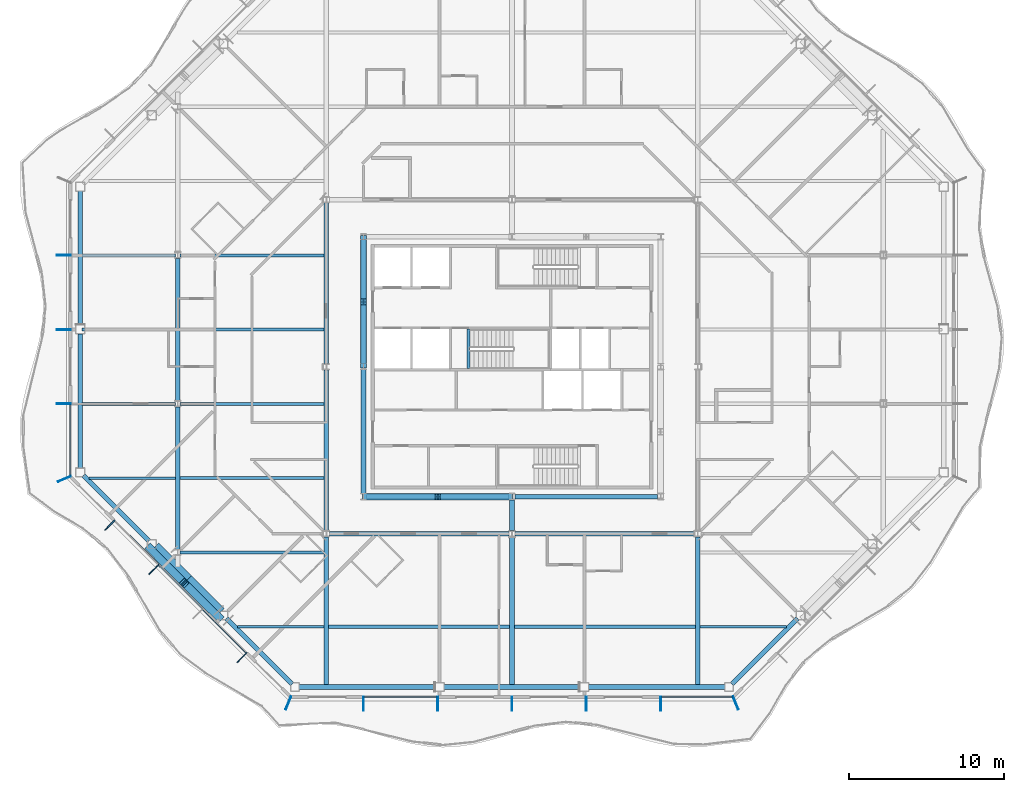
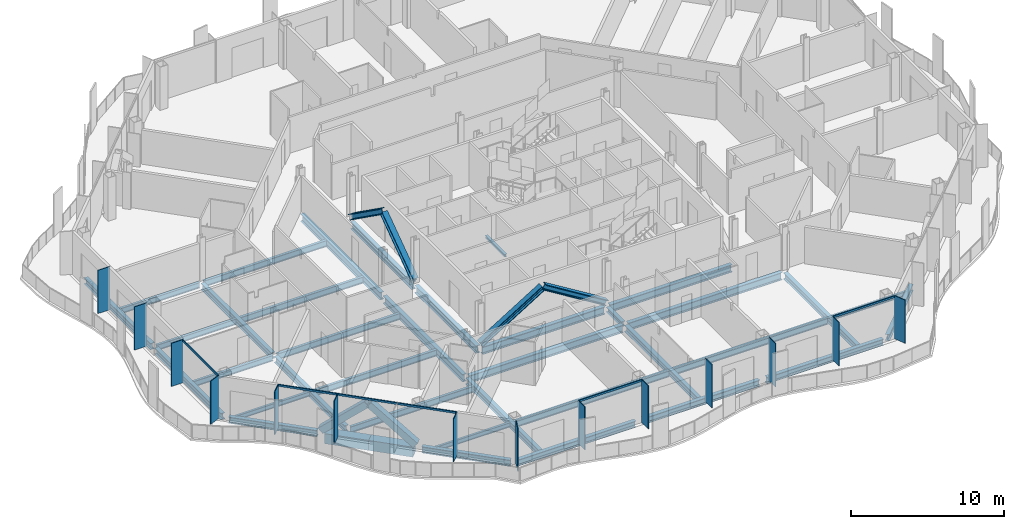
# One storey, part 3 of 21: 38 beams, 26 members, 4 elements without a shape of their own.
"""IFC4 building model written with IfcOpenShell, lengths in metres."""

from ifc_helpers import new_model, si_unit, direction, frame, origin, origin_2d, place, context, subcontext, project, spatial, rectangle, hollow_rectangle, i_section, extrude, material, material_profile, profile_set, type_object, element, aggregate, save


model = new_model("IFC4")

# Units and contexts
model_context = context("Model", 3, precision=1e-05, world=origin(), true_north=direction((0.0, 1.0)))
body_context = subcontext(model_context, "Body", "Model", "MODEL_VIEW")
ifc_project = project(units=[si_unit("LENGTHUNIT", "METRE"), si_unit("AREAUNIT", "SQUARE_METRE"), si_unit("VOLUMEUNIT", "CUBIC_METRE"), si_unit("PLANEANGLEUNIT", "RADIAN"), si_unit("MASSUNIT", "GRAM", prefix="KILO")], contexts=[model_context])

# Site, building, storey
site_placement = place(None, origin())
site = spatial("IfcSite", under=ifc_project, at=site_placement, CompositionType="ELEMENT")
building_placement = place(site_placement, origin())
building = spatial("IfcBuilding", under=site, at=building_placement, Name="Cairn Pilgrim Tower", CompositionType="ELEMENT")
storey_placement = place(building_placement, frame((0.0, 0.0, 150.60009765625)))
storey = spatial("IfcBuildingStorey", under=building, at=storey_placement, Name="L37", CompositionType="ELEMENT", Elevation=150.60009765625)

# Members
ifc_material_1 = material(Name="Structural steel S460M", Category="steel")
ifc_material_profile_1 = material_profile(ifc_material_1, hollow_rectangle(XDim=0.5, YDim=0.5, WallThickness=0.030029296875, at=origin_2d()), Name="BOX 500x500x30")
ifc_profile_set_1 = profile_set([ifc_material_profile_1], Name="Structural steel S460M")
member_type_1 = type_object("IfcMemberType", Name="BOX 500x500x30 BRACE", PredefinedType="BRACE", material=ifc_profile_set_1)
for number, where, z_axis, x_axis, name in (
    (1, (-16.243408203125, -9.2978515625, 0.14990234375), (0.532872437944, -0.54041586551, 0.651151024866), (0.712058976351, 0.702119658034, 0.0), "XB-SW2-SW3-1"),
    (2, (-11.697998046875, -13.84326171875, 0.14990234375), (-0.540432836476, 0.53283023714, 0.651171473306), (-0.702080283622, -0.712097799006, 0.0), "XB-SW2-SW3-2"),
):
    element("IfcMember", number, at=place(storey_placement, frame(where, z_axis=z_axis, x_axis=x_axis)), inside=storey, type_object=member_type_1, Name=name, PredefinedType="BRACE", context=body_context, shape_type="SweptSolid", body=[
        extrude(hollow_rectangle(XDim=0.5, YDim=0.5, WallThickness=0.030029296875, at=origin_2d()), origin(), (0.0, 0.0, 1.0), 4.142578125),
    ])

# Beams
ifc_material_2 = material(Name="Structural steel S355J2", Category="steel")
ifc_material_profile_2 = material_profile(ifc_material_2, hollow_rectangle(XDim=0.699951171875, YDim=0.800048828125, WallThickness=0.0400390625, at=origin_2d()), Name="BOX 700x800x40")
ifc_profile_set_2 = profile_set([ifc_material_profile_2], Name="Structural steel S355J2")
beam_type_1 = type_object("IfcBeamType", Name="BOX 700x800x40 RING GIRDER", PredefinedType="SPANDREL", material=ifc_profile_set_2)
beam_1_placement = place(storey_placement, frame((-15.884765625, -9.242431640625, -0.550048828125), z_axis=(0.707106781187, -0.707106781187, 0.0), x_axis=(0.707106781187, 0.707106781187, 0.0)))
element("IfcBeam", 3, at=beam_1_placement, inside=storey, type_object=beam_type_1, Name="RG2-SW2-SW3-1", PredefinedType="SPANDREL", context=body_context, shape_type="SweptSolid", body=[
    extrude(hollow_rectangle(XDim=0.699951171875, YDim=0.800048828125, WallThickness=0.0400390625, at=origin_2d()), origin(), (0.0, 0.0, 1.0), 2.999755859375),
])
beam_2_placement = place(storey_placement, frame((-13.763671875, -11.363525390625, -0.550048828125), z_axis=(0.707106781187, -0.707106781187, 0.0), x_axis=(0.707106781187, 0.707106781187, 0.0)))
element("IfcBeam", 4, at=beam_2_placement, inside=storey, type_object=beam_type_1, Name="RG2-SW2-SW3-2", PredefinedType="SPANDREL", context=body_context, shape_type="SweptSolid", body=[
    extrude(hollow_rectangle(XDim=0.699951171875, YDim=0.800048828125, WallThickness=0.0400390625, at=origin_2d()), origin(), (0.0, 0.0, 1.0), 3.0),
])

# Curtain wall, members
ifc_material_3 = material(Name="Aluminium alloy 6063-T6 bronze anodised with Bronze tinted laminated low-E glass 8+16+8.8", Category="aluminium")
curtain_wall_type_1 = type_object("IfcCurtainWallType", Name="TOWER STICK CURTAIN WALL NS", PredefinedType="NOTDEFINED", material=ifc_material_3)
curtain_wall_1_placement = place(storey_placement, origin())
curtain_wall_1 = element("IfcCurtainWall", 5, at=curtain_wall_1_placement, inside=storey, type_object=curtain_wall_type_1, Name="Tower Stick Curtain Wall Ns S", PredefinedType="NOTDEFINED")
ifc_material_4 = material(Name="Aluminium alloy 6063-T6 bronze anodised", Category="aluminium")
ifc_material_profile_3 = material_profile(ifc_material_4, rectangle(XDim=0.89990234375, YDim=0.06005859375, at=origin_2d()), Name="FIN MULLION 60x900 BRONZE")
ifc_profile_set_3 = profile_set([ifc_material_profile_3], Name="Aluminium alloy 6063-T6 bronze anodised")
member_type_2 = type_object("IfcMemberType", Name="FIN MULLION 60x900 BRONZE", PredefinedType="MULLION", material=ifc_profile_set_3)
member_1_placement = place(storey_placement, frame((-7.257080078125, -19.338134765625, 0.0), z_axis=(0.0, 0.0, 1.0), x_axis=(-0.382683432365, -0.923879532511, 0.0)))
member_1 = element("IfcMember", 6, at=member_1_placement, type_object=member_type_2, Name="Fin mullion S1", PredefinedType="MULLION", context=body_context, shape_type="SweptSolid", body=[
    extrude(rectangle(XDim=0.89990234375, YDim=0.06005859375, at=origin_2d()), origin(), (0.0, 0.0, 1.0), 3.449951171875),
])
member_2_placement = place(storey_placement, frame((-2.39990234375, -19.3701171875, 0.0), z_axis=(0.0, 0.0, 1.0), x_axis=(0.0, -1.0, 0.0)))
member_2 = element("IfcMember", 7, at=member_2_placement, type_object=member_type_2, Name="Fin mullion S2", PredefinedType="MULLION", context=body_context, shape_type="SweptSolid", body=[
    extrude(rectangle(XDim=0.89990234375, YDim=0.06005859375, at=origin_2d()), origin(), (0.0, 0.0, 1.0), 3.449951171875),
])
member_3_placement = place(storey_placement, frame((2.39990234375, -19.3701171875, 0.0), z_axis=(0.0, 0.0, 1.0), x_axis=(0.0, -1.0, 0.0)))
member_3 = element("IfcMember", 8, at=member_3_placement, type_object=member_type_2, Name="Fin mullion S3", PredefinedType="MULLION", context=body_context, shape_type="SweptSolid", body=[
    extrude(rectangle(XDim=0.89990234375, YDim=0.06005859375, at=origin_2d()), origin(), (0.0, 0.0, 1.0), 3.449951171875),
])
member_4_placement = place(storey_placement, frame((7.199951171875, -19.3701171875, 0.0), z_axis=(0.0, 0.0, 1.0), x_axis=(0.0, -1.0, 0.0)))
member_4 = element("IfcMember", 9, at=member_4_placement, type_object=member_type_2, Name="Fin mullion S4", PredefinedType="MULLION", context=body_context, shape_type="SweptSolid", body=[
    extrude(rectangle(XDim=0.89990234375, YDim=0.06005859375, at=origin_2d()), origin(), (0.0, 0.0, 1.0), 3.449951171875),
])
member_5_placement = place(storey_placement, frame((12.0, -19.3701171875, 0.0), z_axis=(0.0, 0.0, 1.0), x_axis=(0.0, -1.0, 0.0)))
member_5 = element("IfcMember", 10, at=member_5_placement, type_object=member_type_2, Name="Fin mullion S5", PredefinedType="MULLION", context=body_context, shape_type="SweptSolid", body=[
    extrude(rectangle(XDim=0.89990234375, YDim=0.06005859375, at=origin_2d()), origin(), (0.0, 0.0, 1.0), 3.449951171875),
])
member_6_placement = place(storey_placement, frame((16.800048828125, -19.3701171875, 0.0), z_axis=(0.0, 0.0, 1.0), x_axis=(0.0, -1.0, 0.0)))
member_6 = element("IfcMember", 11, at=member_6_placement, type_object=member_type_2, Name="Fin mullion S6", PredefinedType="MULLION", context=body_context, shape_type="SweptSolid", body=[
    extrude(rectangle(XDim=0.89990234375, YDim=0.06005859375, at=origin_2d()), origin(), (0.0, 0.0, 1.0), 3.449951171875),
])

# Curtain wall, member
curtain_wall_type_2 = type_object("IfcCurtainWallType", Name="CHAMFER CORNER CURTAIN WALL", PredefinedType="NOTDEFINED", material=ifc_material_3)
curtain_wall_2_placement = place(storey_placement, origin())
curtain_wall_2 = element("IfcCurtainWall", 12, at=curtain_wall_2_placement, inside=storey, type_object=curtain_wall_type_2, Name="Chamfer Corner Curtain Wall SE", PredefinedType="NOTDEFINED")
member_7_placement = place(storey_placement, frame((21.6572265625, -19.338134765625, 0.0), z_axis=(0.0, 0.0, 1.0), x_axis=(0.382683432365, -0.923879532511, 0.0)))
member_7 = element("IfcMember", 13, at=member_7_placement, type_object=member_type_2, Name="Fin mullion SE1", PredefinedType="MULLION", context=body_context, shape_type="SweptSolid", body=[
    extrude(rectangle(XDim=0.89990234375, YDim=0.06005859375, at=origin_2d()), origin(), (0.0, 0.0, 1.0), 3.449951171875),
])
aggregate(curtain_wall_2, [member_7])

# Curtain wall, members
curtain_wall_type_3 = type_object("IfcCurtainWallType", Name="TOWER STICK CURTAIN WALL EW", PredefinedType="NOTDEFINED", material=ifc_material_3)
curtain_wall_3_placement = place(storey_placement, origin())
curtain_wall_3 = element("IfcCurtainWall", 14, at=curtain_wall_3_placement, inside=storey, type_object=curtain_wall_type_3, Name="Tower Stick Curtain Wall Ew W", PredefinedType="NOTDEFINED")
member_8_placement = place(storey_placement, frame((-21.77001953125, 9.60009765625, 0.0), z_axis=(0.0, 0.0, 1.0), x_axis=(-1.0, 0.0, 0.0)))
member_8 = element("IfcMember", 15, at=member_8_placement, type_object=member_type_2, Name="Fin mullion W2", PredefinedType="MULLION", context=body_context, shape_type="SweptSolid", body=[
    extrude(rectangle(XDim=0.89990234375, YDim=0.06005859375, at=origin_2d()), origin(), (0.0, 0.0, 1.0), 3.449951171875),
])
member_9_placement = place(storey_placement, frame((-21.77001953125, 4.800048828125, 0.0), z_axis=(0.0, 0.0, 1.0), x_axis=(-1.0, 0.0, 0.0)))
member_9 = element("IfcMember", 16, at=member_9_placement, type_object=member_type_2, Name="Fin mullion W3", PredefinedType="MULLION", context=body_context, shape_type="SweptSolid", body=[
    extrude(rectangle(XDim=0.89990234375, YDim=0.06005859375, at=origin_2d()), origin(), (0.0, 0.0, 1.0), 3.449951171875),
])
member_10_placement = place(storey_placement, frame((-21.77001953125, 0.0, 0.0), z_axis=(0.0, 0.0, 1.0), x_axis=(-1.0, 0.0, 0.0)))
member_10 = element("IfcMember", 17, at=member_10_placement, type_object=member_type_2, Name="Fin mullion W4", PredefinedType="MULLION", context=body_context, shape_type="SweptSolid", body=[
    extrude(rectangle(XDim=0.89990234375, YDim=0.06005859375, at=origin_2d()), origin(), (0.0, 0.0, 1.0), 3.449951171875),
])

curtain_wall_4_placement = place(storey_placement, origin())
curtain_wall_4 = element("IfcCurtainWall", 18, at=curtain_wall_4_placement, inside=storey, type_object=curtain_wall_type_2, Name="Chamfer Corner Curtain Wall SW", PredefinedType="NOTDEFINED")
member_11_placement = place(storey_placement, frame((-21.738037109375, -4.857177734375, 0.0), z_axis=(0.0, 0.0, 1.0), x_axis=(-0.923879532511, -0.382683432365, 0.0)))
member_11 = element("IfcMember", 19, at=member_11_placement, type_object=member_type_2, Name="Fin mullion SW1", PredefinedType="MULLION", context=body_context, shape_type="SweptSolid", body=[
    extrude(rectangle(XDim=0.89990234375, YDim=0.06005859375, at=origin_2d()), origin(), (0.0, 0.0, 1.0), 3.449951171875),
])
member_12_placement = place(storey_placement, frame((-18.79638671875, -7.84423828125, 0.0), z_axis=(0.0, 0.0, 1.0), x_axis=(-0.707106781187, -0.707106781187, 0.0)))
member_12 = element("IfcMember", 20, at=member_12_placement, type_object=member_type_2, Name="Fin mullion SW2", PredefinedType="MULLION", context=body_context, shape_type="SweptSolid", body=[
    extrude(rectangle(XDim=0.89990234375, YDim=0.06005859375, at=origin_2d()), origin(), (0.0, 0.0, 1.0), 3.449951171875),
])
member_13_placement = place(storey_placement, frame((-15.945556640625, -10.69482421875, 0.0), z_axis=(0.0, 0.0, 1.0), x_axis=(-0.707106781187, -0.707106781187, 0.0)))
member_13 = element("IfcMember", 21, at=member_13_placement, type_object=member_type_2, Name="Fin mullion SW3", PredefinedType="MULLION", context=body_context, shape_type="SweptSolid", body=[
    extrude(rectangle(XDim=0.89990234375, YDim=0.06005859375, at=origin_2d()), origin(), (0.0, 0.0, 1.0), 3.449951171875),
])
member_14_placement = place(storey_placement, frame((-10.244140625, -16.396240234375, 0.0), z_axis=(0.0, 0.0, 1.0), x_axis=(-0.707106781187, -0.707106781187, 0.0)))
member_14 = element("IfcMember", 22, at=member_14_placement, type_object=member_type_2, Name="Fin mullion SW5", PredefinedType="MULLION", context=body_context, shape_type="SweptSolid", body=[
    extrude(rectangle(XDim=0.89990234375, YDim=0.06005859375, at=origin_2d()), origin(), (0.0, 0.0, 1.0), 3.449951171875),
])

# Members
ifc_material_profile_4 = material_profile(ifc_material_1, i_section(OverallWidth=0.408935546875, OverallDepth=0.425048828125, WebThickness=0.03271484375, FlangeThickness=0.052490234375, FilletRadius=0.014892578125, at=origin_2d()), Name="HD 400x421")
ifc_profile_set_4 = profile_set([ifc_material_profile_4], Name="Structural steel S460M")
member_type_3 = type_object("IfcMemberType", Name="HD 400x421 BRACE", PredefinedType="BRACE", material=ifc_profile_set_4)
for number, where, z_axis, x_axis, name in (
    (23, (-2.3583984375, -6.0, 0.099853515625), (0.851099832195, 0.0, 0.525003881545), (0.0, 1.0, 0.0), "KB-1A"),
    (24, (7.158447265625, -6.0, 0.099853515625), (-0.85111200398, 0.0, 0.524984148981), (0.0, -1.0, 0.0), "KB-1B"),
):
    element("IfcMember", number, at=place(storey_placement, frame(where, z_axis=z_axis, x_axis=x_axis)), inside=storey, type_object=member_type_3, Name=name, PredefinedType="BRACE", context=body_context, shape_type="SweptSolid", body=[
        extrude(i_section(OverallWidth=0.408935546875, OverallDepth=0.425048828125, WebThickness=0.03271484375, FlangeThickness=0.052490234375, FilletRadius=0.014892578125, at=origin_2d()), origin(), (0.0, 0.0, 1.0), 5.5283203125),
    ])
for number, where, z_axis, x_axis, name in (
    (25, (-2.39990234375, 10.75830078125, 0.099853515625), (0.0, -0.81433042856, 0.580401544727), (1.0, 0.0, 0.0), "KB-4A"),
    (26, (-2.39990234375, 2.441650390625, 0.099853515625), (0.0, 0.81433042856, 0.580401544727), (-1.0, 0.0, 0.0), "KB-4B"),
):
    element("IfcMember", number, at=place(storey_placement, frame(where, z_axis=z_axis, x_axis=x_axis)), inside=storey, type_object=member_type_3, Name=name, PredefinedType="BRACE", context=body_context, shape_type="SweptSolid", body=[
        extrude(i_section(OverallWidth=0.408935546875, OverallDepth=0.425048828125, WebThickness=0.03271484375, FlangeThickness=0.052490234375, FilletRadius=0.014892578125, at=origin_2d()), origin(), (0.0, 0.0, 1.0), 4.998046875),
    ])

# Beams
ifc_material_profile_5 = material_profile(ifc_material_2, i_section(OverallWidth=0.300048828125, OverallDepth=0.39990234375, WebThickness=0.013427734375, FlangeThickness=0.02392578125, FilletRadius=0.027099609375, at=origin_2d()), Name="HEB 400")
ifc_profile_set_5 = profile_set([ifc_material_profile_5], Name="Structural steel S355J2")
beam_type_2 = type_object("IfcBeamType", Name="HEB 400 GIRDER", PredefinedType="BEAM", material=ifc_profile_set_5)
beam_3_placement = place(storey_placement, frame((7.199951171875, -8.200439453125, -0.35009765625), z_axis=(0.0, 1.0, 0.0), x_axis=(-1.0, 0.0, 0.0)))
element("IfcBeam", 27, at=beam_3_placement, inside=storey, type_object=beam_type_2, Name="PG3-E1", PredefinedType="BEAM", context=body_context, shape_type="SweptSolid", body=[
    extrude(i_section(OverallWidth=0.300048828125, OverallDepth=0.39990234375, WebThickness=0.013427734375, FlangeThickness=0.02392578125, FilletRadius=0.027099609375, at=origin_2d()), origin(), (0.0, 0.0, 1.0), 1.992431640625),
])
ifc_material_profile_6 = material_profile(ifc_material_2, i_section(OverallWidth=0.300048828125, OverallDepth=0.5, WebThickness=0.014404296875, FlangeThickness=0.028076171875, FilletRadius=0.027099609375, at=origin_2d()), Name="HEB 500")
ifc_profile_set_6 = profile_set([ifc_material_profile_6], Name="Structural steel S355J2")
beam_type_3 = type_object("IfcBeamType", Name="HEB 500 GIRDER", PredefinedType="BEAM", material=ifc_profile_set_6)
for number, where, z_axis, x_axis, name in (
    (28, (-14.39990234375, -9.400390625, -0.400146484375), (0.0, 1.0, 0.0), (-1.0, 0.0, 0.0), "PG1-1"),
    (29, (-14.39990234375, 0.199462890625, -0.400146484375), (0.0, 1.0, 0.0), (-1.0, 0.0, 0.0), "PG1-2"),
):
    element("IfcBeam", number, at=place(storey_placement, frame(where, z_axis=z_axis, x_axis=x_axis)), inside=storey, type_object=beam_type_3, Name=name, PredefinedType="BEAM", context=body_context, shape_type="SweptSolid", body=[
        extrude(i_section(OverallWidth=0.300048828125, OverallDepth=0.5, WebThickness=0.014404296875, FlangeThickness=0.028076171875, FilletRadius=0.027099609375, at=origin_2d()), origin(), (0.0, 0.0, 1.0), 9.200927734375),
    ])
for number, where, z_axis, x_axis, name in (
    (30, (-4.800048828125, -18.179931640625, -0.400146484375), (0.0, 1.0, 0.0), (-1.0, 0.0, 0.0), "PG2-1"),
    (31, (7.199951171875, -18.179931640625, -0.400146484375), (0.0, 1.0, 0.0), (-1.0, 0.0, 0.0), "PG3-1"),
    (32, (19.199951171875, -18.179931640625, -0.400146484375), (0.0, 1.0, 0.0), (-1.0, 0.0, 0.0), "PG4-1"),
):
    element("IfcBeam", number, at=place(storey_placement, frame(where, z_axis=z_axis, x_axis=x_axis)), inside=storey, type_object=beam_type_3, Name=name, PredefinedType="BEAM", context=body_context, shape_type="SweptSolid", body=[
        extrude(i_section(OverallWidth=0.300048828125, OverallDepth=0.5, WebThickness=0.014404296875, FlangeThickness=0.028076171875, FilletRadius=0.027099609375, at=origin_2d()), origin(), (0.0, 0.0, 1.0), 9.580322265625),
    ])
ifc_material_profile_7 = material_profile(ifc_material_2, i_section(OverallWidth=0.300048828125, OverallDepth=0.5, WebThickness=0.014404296875, FlangeThickness=0.028076171875, FilletRadius=0.027099609375, at=origin_2d()), Name="HEB 500")
ifc_profile_set_7 = profile_set([ifc_material_profile_7], Name="Structural steel S355J2")
beam_type_4 = type_object("IfcBeamType", Name="HEB 500 RING GIRDER", PredefinedType="SPANDREL", material=ifc_profile_set_7)
for number, where, z_axis, x_axis, name in (
    (33, (-6.55712890625, -18.300048828125, -0.400146484375), (1.0, 0.0, 0.0), (0.0, 1.0, 0.0), "RG2-S1-S2"),
    (34, (2.794189453125, -18.300048828125, -0.400146484375), (1.0, 0.0, 0.0), (0.0, 1.0, 0.0), "RG2-S2-S3"),
    (35, (12.145751953125, -18.300048828125, -0.400146484375), (1.0, 0.0, 0.0), (0.0, 1.0, 0.0), "RG2-S3-SE1"),
):
    element("IfcBeam", number, at=place(storey_placement, frame(where, z_axis=z_axis, x_axis=x_axis)), inside=storey, type_object=beam_type_4, Name=name, PredefinedType="SPANDREL", context=body_context, shape_type="SweptSolid", body=[
        extrude(i_section(OverallWidth=0.300048828125, OverallDepth=0.5, WebThickness=0.014404296875, FlangeThickness=0.028076171875, FilletRadius=0.027099609375, at=origin_2d()), origin(), (0.0, 0.0, 1.0), 8.8115234375),
    ])
beam_4_placement = place(storey_placement, frame((21.418212890625, -18.109130859375, -0.400146484375), z_axis=(0.707106781187, 0.707106781187, 0.0), x_axis=(-0.707106781187, 0.707106781187, 0.0)))
element("IfcBeam", 36, at=beam_4_placement, inside=storey, type_object=beam_type_4, Name="RG2-SE1-SE2", PredefinedType="SPANDREL", context=body_context, shape_type="SweptSolid", body=[
    extrude(i_section(OverallWidth=0.300048828125, OverallDepth=0.5, WebThickness=0.014404296875, FlangeThickness=0.028076171875, FilletRadius=0.027099609375, at=origin_2d()), origin(), (0.0, 0.0, 1.0), 5.999755859375),
])
beam_5_placement = place(storey_placement, frame((-20.699951171875, 13.757080078125, -0.400146484375), z_axis=(0.0, -1.0, 0.0), x_axis=(1.0, 0.0, 0.0)))
element("IfcBeam", 37, at=beam_5_placement, inside=storey, type_object=beam_type_4, Name="RG2-W1-W2", PredefinedType="SPANDREL", context=body_context, shape_type="SweptSolid", body=[
    extrude(i_section(OverallWidth=0.300048828125, OverallDepth=0.5, WebThickness=0.014404296875, FlangeThickness=0.028076171875, FilletRadius=0.027099609375, at=origin_2d()), origin(), (0.0, 0.0, 1.0), 8.68701171875),
])
beam_6_placement = place(storey_placement, frame((-20.699951171875, 4.530029296875, -0.400146484375), z_axis=(0.0, -1.0, 0.0), x_axis=(1.0, 0.0, 0.0)))
element("IfcBeam", 38, at=beam_6_placement, inside=storey, type_object=beam_type_4, Name="RG2-W2-SW1", PredefinedType="SPANDREL", context=body_context, shape_type="SweptSolid", body=[
    extrude(i_section(OverallWidth=0.300048828125, OverallDepth=0.5, WebThickness=0.014404296875, FlangeThickness=0.028076171875, FilletRadius=0.027099609375, at=origin_2d()), origin(), (0.0, 0.0, 1.0), 8.687255859375),
])
for number, where, z_axis, x_axis, name in (
    (39, (-20.509033203125, -4.6181640625, -0.400146484375), (0.707106781187, -0.707106781187, 0.0), (0.707106781187, 0.707106781187, 0.0), "RG2-SW1-SW2"),
    (40, (-11.260498046875, -13.86669921875, -0.400146484375), (0.707106781187, -0.707106781187, 0.0), (0.707106781187, 0.707106781187, 0.0), "RG2-SW3-S1"),
):
    element("IfcBeam", number, at=place(storey_placement, frame(where, z_axis=z_axis, x_axis=x_axis)), inside=storey, type_object=beam_type_4, Name=name, PredefinedType="SPANDREL", context=body_context, shape_type="SweptSolid", body=[
        extrude(i_section(OverallWidth=0.300048828125, OverallDepth=0.5, WebThickness=0.014404296875, FlangeThickness=0.028076171875, FilletRadius=0.027099609375, at=origin_2d()), origin(), (0.0, 0.0, 1.0), 5.999755859375),
    ])
ifc_material_profile_8 = material_profile(ifc_material_2, i_section(OverallWidth=0.300048828125, OverallDepth=0.60009765625, WebThickness=0.015380859375, FlangeThickness=0.030029296875, FilletRadius=0.027099609375, at=origin_2d()), Name="HEB 600")
ifc_profile_set_8 = profile_set([ifc_material_profile_8], Name="Structural steel S355J2")
beam_type_5 = type_object("IfcBeamType", Name="HEB 600 CORE BEAM", PredefinedType="BEAM", material=ifc_profile_set_8)
for number, where, z_axis, x_axis, name in (
    (41, (-2.212890625, -6.0, -0.4501953125), (1.0, 0.0, 0.0), (0.0, 1.0, 0.0), "CB-1"),
    (42, (7.38720703125, -6.0, -0.4501953125), (1.0, 0.0, 0.0), (0.0, 1.0, 0.0), "CB-2"),
):
    element("IfcBeam", number, at=place(storey_placement, frame(where, z_axis=z_axis, x_axis=x_axis)), inside=storey, type_object=beam_type_5, Name=name, PredefinedType="BEAM", context=body_context, shape_type="SweptSolid", body=[
        extrude(i_section(OverallWidth=0.300048828125, OverallDepth=0.60009765625, WebThickness=0.015380859375, FlangeThickness=0.030029296875, FilletRadius=0.027099609375, at=origin_2d()), origin(), (0.0, 0.0, 1.0), 9.2255859375),
    ])
for number, where, z_axis, x_axis, name in (
    (43, (-2.39990234375, 10.61279296875, -0.4501953125), (0.0, -1.0, 0.0), (1.0, 0.0, 0.0), "CB-7"),
    (44, (-2.39990234375, 2.212890625, -0.4501953125), (0.0, -1.0, 0.0), (1.0, 0.0, 0.0), "CB-8"),
):
    element("IfcBeam", number, at=place(storey_placement, frame(where, z_axis=z_axis, x_axis=x_axis)), inside=storey, type_object=beam_type_5, Name=name, PredefinedType="BEAM", context=body_context, shape_type="SweptSolid", body=[
        extrude(i_section(OverallWidth=0.300048828125, OverallDepth=0.60009765625, WebThickness=0.015380859375, FlangeThickness=0.030029296875, FilletRadius=0.027099609375, at=origin_2d()), origin(), (0.0, 0.0, 1.0), 8.025634765625),
    ])
ifc_material_profile_9 = material_profile(ifc_material_2, i_section(OverallWidth=0.300048828125, OverallDepth=0.60009765625, WebThickness=0.015380859375, FlangeThickness=0.030029296875, FilletRadius=0.027099609375, at=origin_2d()), Name="HEB 600")
ifc_profile_set_9 = profile_set([ifc_material_profile_9], Name="Structural steel S355J2")
beam_type_6 = type_object("IfcBeamType", Name="HEB 600 GIRDER", PredefinedType="BEAM", material=ifc_profile_set_9)
for number, where, z_axis, x_axis, name in (
    (45, (-4.800048828125, -8.200439453125, -0.4501953125), (0.0, 1.0, 0.0), (-1.0, 0.0, 0.0), "PG2-2"),
    (46, (-4.800048828125, 2.599609375, -0.4501953125), (0.0, 1.0, 0.0), (-1.0, 0.0, 0.0), "PG2-3"),
):
    element("IfcBeam", number, at=place(storey_placement, frame(where, z_axis=z_axis, x_axis=x_axis)), inside=storey, type_object=beam_type_6, Name=name, PredefinedType="BEAM", context=body_context, shape_type="SweptSolid", body=[
        extrude(i_section(OverallWidth=0.300048828125, OverallDepth=0.60009765625, WebThickness=0.015380859375, FlangeThickness=0.030029296875, FilletRadius=0.027099609375, at=origin_2d()), origin(), (0.0, 0.0, 1.0), 10.40087890625),
    ])
ifc_material_profile_10 = material_profile(ifc_material_2, i_section(OverallWidth=0.300048828125, OverallDepth=0.60009765625, WebThickness=0.015380859375, FlangeThickness=0.030029296875, FilletRadius=0.027099609375, at=origin_2d()), Name="HEB 600")
ifc_profile_set_10 = profile_set([ifc_material_profile_10], Name="Structural steel S355J2")
beam_type_7 = type_object("IfcBeamType", Name="HEB 600 INNER GIRDER", PredefinedType="BEAM", material=ifc_profile_set_10)
for number, where, z_axis, x_axis, name in (
    (47, (-4.6005859375, -8.39990234375, -0.4501953125), (1.0, 0.0, 0.0), (0.0, 1.0, 0.0), "IG1-1"),
    (48, (7.3994140625, -8.39990234375, -0.4501953125), (1.0, 0.0, 0.0), (0.0, 1.0, 0.0), "IG1-2"),
):
    element("IfcBeam", number, at=place(storey_placement, frame(where, z_axis=z_axis, x_axis=x_axis)), inside=storey, type_object=beam_type_7, Name=name, PredefinedType="BEAM", context=body_context, shape_type="SweptSolid", body=[
        extrude(i_section(OverallWidth=0.300048828125, OverallDepth=0.60009765625, WebThickness=0.015380859375, FlangeThickness=0.030029296875, FilletRadius=0.027099609375, at=origin_2d()), origin(), (0.0, 0.0, 1.0), 11.60107421875),
    ])
ifc_material_profile_11 = material_profile(ifc_material_2, i_section(OverallWidth=0.169921875, OverallDepth=0.360107421875, WebThickness=0.008056640625, FlangeThickness=0.0126953125, FilletRadius=0.01806640625, at=origin_2d()), Name="IPE 360")
ifc_profile_set_11 = profile_set([ifc_material_profile_11], Name="Structural steel S355J2")
beam_type_8 = type_object("IfcBeamType", Name="IPE 360 SECONDARY BEAM", PredefinedType="JOIST", material=ifc_profile_set_11)
beam_7_placement = place(storey_placement, frame((-10.545166015625, -14.39990234375, -0.330078125), z_axis=(1.0, 0.0, 0.0), x_axis=(0.0, 1.0, 0.0)))
element("IfcBeam", 49, at=beam_7_placement, inside=storey, type_object=beam_type_8, Name="SB1-1", PredefinedType="JOIST", context=body_context, shape_type="SweptSolid", body=[
    extrude(i_section(OverallWidth=0.169921875, OverallDepth=0.360107421875, WebThickness=0.008056640625, FlangeThickness=0.0126953125, FilletRadius=0.01806640625, at=origin_2d()), origin(), (0.0, 0.0, 1.0), 5.59521484375),
])
for number, where, z_axis, x_axis, name in (
    (50, (19.35009765625, -14.39990234375, -0.330078125), (1.0, 0.0, 0.0), (0.0, 1.0, 0.0), "SB1-4"),
    (51, (-20.14501953125, -4.800048828125, -0.330078125), (1.0, 0.0, 0.0), (0.0, 1.0, 0.0), "SB3-1"),
):
    element("IfcBeam", number, at=place(storey_placement, frame(where, z_axis=z_axis, x_axis=x_axis)), inside=storey, type_object=beam_type_8, Name=name, PredefinedType="JOIST", context=body_context, shape_type="SweptSolid", body=[
        extrude(i_section(OverallWidth=0.169921875, OverallDepth=0.360107421875, WebThickness=0.008056640625, FlangeThickness=0.0126953125, FilletRadius=0.01806640625, at=origin_2d()), origin(), (0.0, 0.0, 1.0), 5.594970703125),
    ])
ifc_material_profile_12 = material_profile(ifc_material_2, i_section(OverallWidth=0.18994140625, OverallDepth=0.449951171875, WebThickness=0.009521484375, FlangeThickness=0.0146484375, FilletRadius=0.02099609375, at=origin_2d()), Name="IPE 450")
ifc_profile_set_12 = profile_set([ifc_material_profile_12], Name="Structural steel S355J2")
beam_type_9 = type_object("IfcBeamType", Name="IPE 450 SECONDARY BEAM", PredefinedType="JOIST", material=ifc_profile_set_12)
for number, where, z_axis, x_axis, name in (
    (52, (-20.580078125, 0.0, -0.375), (1.0, 0.0, 0.0), (0.0, 1.0, 0.0), "SB4-1"),
    (53, (-20.580078125, 4.800048828125, -0.375), (1.0, 0.0, 0.0), (0.0, 1.0, 0.0), "SB5-1"),
    (54, (-20.580078125, 9.60009765625, -0.375), (1.0, 0.0, 0.0), (0.0, 1.0, 0.0), "SB6-1"),
):
    element("IfcBeam", number, at=place(storey_placement, frame(where, z_axis=z_axis, x_axis=x_axis)), inside=storey, type_object=beam_type_9, Name=name, PredefinedType="JOIST", context=body_context, shape_type="SweptSolid", body=[
        extrude(i_section(OverallWidth=0.18994140625, OverallDepth=0.449951171875, WebThickness=0.009521484375, FlangeThickness=0.0146484375, FilletRadius=0.02099609375, at=origin_2d()), origin(), (0.0, 0.0, 1.0), 6.030029296875),
    ])
ifc_material_profile_13 = material_profile(ifc_material_2, i_section(OverallWidth=0.199951171875, OverallDepth=0.5, WebThickness=0.01025390625, FlangeThickness=0.01611328125, FilletRadius=0.02099609375, at=origin_2d()), Name="IPE 500")
ifc_profile_set_13 = profile_set([ifc_material_profile_13], Name="Structural steel S355J2")
beam_type_10 = type_object("IfcBeamType", Name="IPE 500 SECONDARY BEAM", PredefinedType="JOIST", material=ifc_profile_set_13)
for number, where, z_axis, x_axis, name in (
    (55, (-14.25, -9.60009765625, -0.400146484375), (1.0, 0.0, 0.0), (0.0, 1.0, 0.0), "SB2-1"),
    (56, (-14.25, -4.800048828125, -0.400146484375), (1.0, 0.0, 0.0), (0.0, 1.0, 0.0), "SB3-2"),
    (57, (-14.25, 0.0, -0.400146484375), (1.0, 0.0, 0.0), (0.0, 1.0, 0.0), "SB4-2"),
    (58, (-14.25, 4.800048828125, -0.400146484375), (1.0, 0.0, 0.0), (0.0, 1.0, 0.0), "SB5-2"),
    (59, (-14.25, 9.60009765625, -0.400146484375), (1.0, 0.0, 0.0), (0.0, 1.0, 0.0), "SB6-2"),
):
    element("IfcBeam", number, at=place(storey_placement, frame(where, z_axis=z_axis, x_axis=x_axis)), inside=storey, type_object=beam_type_10, Name=name, PredefinedType="JOIST", context=body_context, shape_type="SweptSolid", body=[
        extrude(i_section(OverallWidth=0.199951171875, OverallDepth=0.5, WebThickness=0.01025390625, FlangeThickness=0.01611328125, FilletRadius=0.02099609375, at=origin_2d()), origin(), (0.0, 0.0, 1.0), 9.300048828125),
    ])
ifc_material_profile_14 = material_profile(ifc_material_2, i_section(OverallWidth=0.2099609375, OverallDepth=0.550048828125, WebThickness=0.010986328125, FlangeThickness=0.01708984375, FilletRadius=0.02392578125, at=origin_2d()), Name="IPE 550")
ifc_profile_set_14 = profile_set([ifc_material_profile_14], Name="Structural steel S355J2")
beam_type_11 = type_object("IfcBeamType", Name="IPE 550 SECONDARY BEAM", PredefinedType="JOIST", material=ifc_profile_set_14)
for number, where, z_axis, x_axis, name in (
    (60, (-4.64990234375, -14.39990234375, -0.425048828125), (1.0, 0.0, 0.0), (0.0, 1.0, 0.0), "SB1-2"),
    (61, (7.35009765625, -14.39990234375, -0.425048828125), (1.0, 0.0, 0.0), (0.0, 1.0, 0.0), "SB1-3"),
):
    element("IfcBeam", number, at=place(storey_placement, frame(where, z_axis=z_axis, x_axis=x_axis)), inside=storey, type_object=beam_type_11, Name=name, PredefinedType="JOIST", context=body_context, shape_type="SweptSolid", body=[
        extrude(i_section(OverallWidth=0.2099609375, OverallDepth=0.550048828125, WebThickness=0.010986328125, FlangeThickness=0.01708984375, FilletRadius=0.02392578125, at=origin_2d()), origin(), (0.0, 0.0, 1.0), 11.699951171875),
    ])
ifc_material_profile_15 = material_profile(ifc_material_2, i_section(OverallWidth=0.199951171875, OverallDepth=0.199951171875, WebThickness=0.009033203125, FlangeThickness=0.014892578125, FilletRadius=0.01806640625, at=origin_2d()), Name="HE 200 B")
ifc_profile_set_15 = profile_set([ifc_material_profile_15], Name="Structural steel S355J2")
beam_type_12 = type_object("IfcBeamType", Name="STAIR LANDING BEAM HE 200 B", PredefinedType="BEAM", material=ifc_profile_set_15)
beam_8_placement = place(storey_placement, frame((4.37548828125, 2.27490234375, -0.25), z_axis=(0.0, 1.0, 0.0), x_axis=(-1.0, 0.0, 0.0)))
element("IfcBeam", 62, at=beam_8_placement, inside=storey, type_object=beam_type_12, Name="STAIR LANDING BEAM LD-HE200B", PredefinedType="BEAM", context=body_context, shape_type="SweptSolid", body=[
    extrude(i_section(OverallWidth=0.199951171875, OverallDepth=0.199951171875, WebThickness=0.009033203125, FlangeThickness=0.014892578125, FilletRadius=0.01806640625, at=origin_2d()), origin(), (0.0, 0.0, 1.0), 2.550048828125),
])

# Member
ifc_material_profile_16 = material_profile(ifc_material_4, rectangle(XDim=0.080078125, YDim=0.14990234375, at=origin_2d()), Name="TRANSOM 80x150 BRONZE")
ifc_profile_set_16 = profile_set([ifc_material_profile_16], Name="Aluminium alloy 6063-T6 bronze anodised")
member_type_4 = type_object("IfcMemberType", Name="TRANSOM 80x150 BRONZE", PredefinedType="USERDEFINED", material=ifc_profile_set_16)
member_15_placement = place(storey_placement, frame((-2.3701171875, -18.949951171875, 3.375), z_axis=(1.0, 0.0, 0.0), x_axis=(0.0, 1.0, 0.0)))
member_15 = element("IfcMember", 63, at=member_15_placement, type_object=member_type_4, Name="Transom S2", ObjectType="TRANSOM", PredefinedType="USERDEFINED", context=body_context, shape_type="SweptSolid", body=[
    extrude(rectangle(XDim=0.080078125, YDim=0.14990234375, at=origin_2d()), origin(), (0.0, 0.0, 1.0), 4.740234375),
])

member_16_placement = place(storey_placement, frame((16.830078125, -18.949951171875, 3.375), z_axis=(1.0, 0.0, 0.0), x_axis=(0.0, 1.0, 0.0)))
member_16 = element("IfcMember", 64, at=member_16_placement, type_object=member_type_4, Name="Transom S6", ObjectType="TRANSOM", PredefinedType="USERDEFINED", context=body_context, shape_type="SweptSolid", body=[
    extrude(rectangle(XDim=0.080078125, YDim=0.14990234375, at=origin_2d()), origin(), (0.0, 0.0, 1.0), 4.62646484375),
])

aggregate(curtain_wall_1, [member_1, member_2, member_3, member_4, member_5, member_6, member_15, member_16])

member_17_placement = place(storey_placement, frame((-21.35009765625, -0.030029296875, 3.375), z_axis=(0.0, -1.0, 0.0), x_axis=(1.0, 0.0, 0.0)))
member_17 = element("IfcMember", 65, at=member_17_placement, type_object=member_type_4, Name="Transom W4", ObjectType="TRANSOM", PredefinedType="USERDEFINED", context=body_context, shape_type="SweptSolid", body=[
    extrude(rectangle(XDim=0.080078125, YDim=0.14990234375, at=origin_2d()), origin(), (0.0, 0.0, 1.0), 4.62646484375),
])

aggregate(curtain_wall_3, [member_8, member_9, member_10, member_17])

member_18_placement = place(storey_placement, frame((-18.47802734375, -7.568359375, 3.375), z_axis=(0.707106781187, -0.707106781187, 0.0), x_axis=(0.707106781187, 0.707106781187, 0.0)))
member_18 = element("IfcMember", 66, at=member_18_placement, type_object=member_type_4, Name="Transom SW2", ObjectType="TRANSOM", PredefinedType="USERDEFINED", context=body_context, shape_type="SweptSolid", body=[
    extrude(rectangle(XDim=0.080078125, YDim=0.14990234375, at=origin_2d()), origin(), (0.0, 0.0, 1.0), 3.9716796875),
])

member_19_placement = place(storey_placement, frame((-15.62744140625, -10.419189453125, 3.375), z_axis=(0.70713751761, -0.707076043427, 0.0), x_axis=(0.707076043427, 0.70713751761, 0.0)))
member_19 = element("IfcMember", 67, at=member_19_placement, type_object=member_type_4, Name="Transom SW3", ObjectType="TRANSOM", PredefinedType="USERDEFINED", context=body_context, shape_type="SweptSolid", body=[
    extrude(rectangle(XDim=0.080078125, YDim=0.14990234375, at=origin_2d()), origin(), (0.0, 0.0, 1.0), 3.971435546875),
])

member_20_placement = place(storey_placement, frame((-12.776611328125, -13.269775390625, 3.375), z_axis=(0.707106781187, -0.707106781187, 0.0), x_axis=(0.707106781187, 0.707106781187, 0.0)))
member_20 = element("IfcMember", 68, at=member_20_placement, type_object=member_type_4, Name="Transom SW4", ObjectType="TRANSOM", PredefinedType="USERDEFINED", context=body_context, shape_type="SweptSolid", body=[
    extrude(rectangle(XDim=0.080078125, YDim=0.14990234375, at=origin_2d()), origin(), (0.0, 0.0, 1.0), 3.9716796875),
])

aggregate(curtain_wall_4, [member_11, member_12, member_13, member_14, member_18, member_19, member_20])

save(model, "model.ifc")
